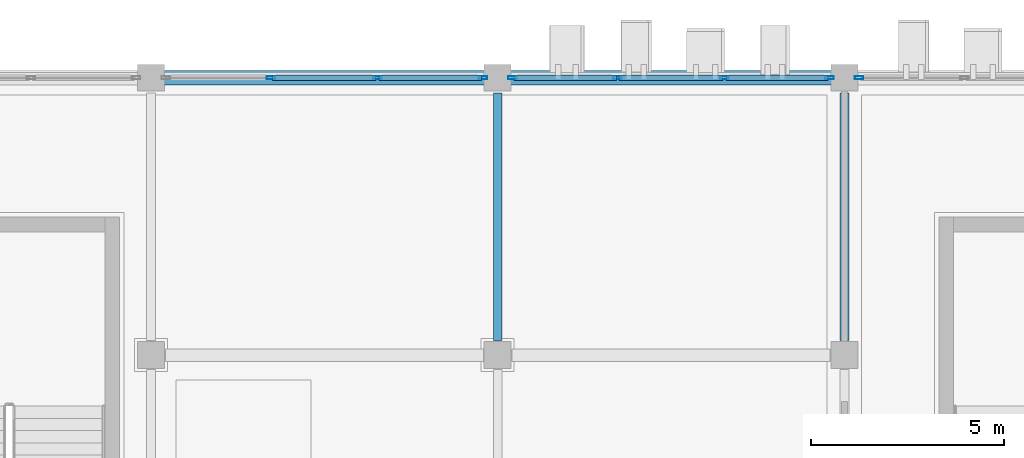
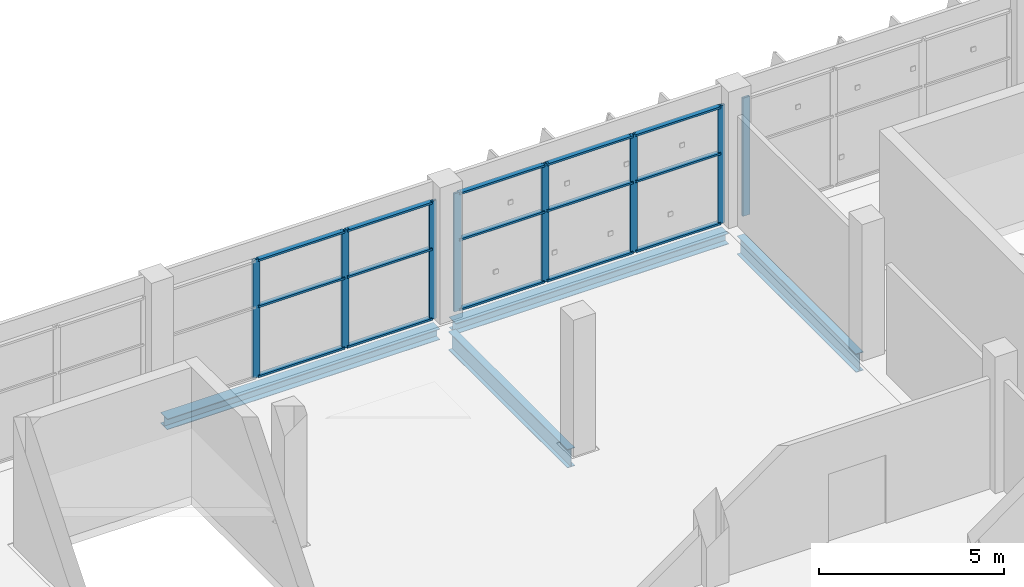
# One storey, part 72 of 151: 23 members, 4 beams, 3 elements without a shape of their own.
"""IFC4 building model written with IfcOpenShell, lengths in metres."""

from ifc_helpers import new_model, si_unit, direction, frame, origin, origin_2d, place, context, subcontext, project, spatial, hollow_rectangle, i_section, extrude, material, layer, layer_set, material_profile, profile_set, type_object, element, aggregate, save


model = new_model("IFC4")

# Units and contexts
model_context = context("Model", 3, precision=1e-05, world=origin(), true_north=direction((0.0, 1.0)))
body_context = subcontext(model_context, "Body", "Model", "MODEL_VIEW")
ifc_project = project(units=[si_unit("LENGTHUNIT", "METRE"), si_unit("AREAUNIT", "SQUARE_METRE"), si_unit("VOLUMEUNIT", "CUBIC_METRE"), si_unit("PLANEANGLEUNIT", "RADIAN"), si_unit("MASSUNIT", "GRAM", prefix="KILO")], contexts=[model_context])

# Site, building, storey
site_placement = place(None, origin())
site = spatial("IfcSite", under=ifc_project, at=site_placement, CompositionType="ELEMENT")
building_placement = place(site_placement, origin())
building = spatial("IfcBuilding", under=site, at=building_placement, Name="Celestram Park Convention Centre", CompositionType="ELEMENT")
storey_placement = place(building_placement, frame((0.0, 0.0, 10.800048828125)))
storey = spatial("IfcBuildingStorey", under=building, at=storey_placement, Name="L02", CompositionType="ELEMENT", Elevation=10.800048828125)

# Curtain wall, members
ifc_material_1 = material(Name="Anodised Aluminium Alloy 6063-T6", Category="aluminium")
ifc_layer = layer(ifc_material_1, 0.179931640625)
ifc_layer_set = layer_set([ifc_layer], Name="Anodised Aluminium Alloy 6063-T6")
curtain_wall_type = type_object("IfcCurtainWallType", Name="ARC-CW-830X389", PredefinedType="NOTDEFINED", material=ifc_layer_set)
curtain_wall_1_placement = place(storey_placement, origin())
curtain_wall_1 = element("IfcCurtainWall", 1, at=curtain_wall_1_placement, inside=storey, type_object=curtain_wall_type, Name="Unitised curtain wall CU-L02-151", PredefinedType="NOTDEFINED")
ifc_material_profile_1 = material_profile(ifc_material_1, hollow_rectangle(XDim=0.074951171875, YDim=0.219970703125, WallThickness=0.00390625, at=origin_2d()), Name="ALU75X220X4")
ifc_profile_set_1 = profile_set([ifc_material_profile_1], Name="Anodised Aluminium Alloy 6063-T6")
member_type_1 = type_object("IfcMemberType", Name="ARC-CWM-180", PredefinedType="MULLION", material=ifc_profile_set_1)
member_1_placement = place(storey_placement, frame((48.115966796875, 165.60009765625, 0.0), z_axis=(0.0, 0.0, 1.0), x_axis=(0.0, 1.0, 0.0)))
member_1 = element("IfcMember", 2, at=member_1_placement, type_object=member_type_1, Name="CW-83X38 mullion 2", PredefinedType="MULLION", context=body_context, shape_type="SweptSolid", body=[
    extrude(hollow_rectangle(XDim=0.074951171875, YDim=0.219970703125, WallThickness=0.00390625, at=origin_2d()), origin(), (0.0, 0.0, 1.0), 3.89404296875),
])
member_2_placement = place(storey_placement, frame((50.884033203125, 165.60009765625, 0.0), z_axis=(0.0, 0.0, 1.0), x_axis=(0.0, 1.0, 0.0)))
member_2 = element("IfcMember", 3, at=member_2_placement, type_object=member_type_1, Name="CW-83X38 mullion 3", PredefinedType="MULLION", context=body_context, shape_type="SweptSolid", body=[
    extrude(hollow_rectangle(XDim=0.074951171875, YDim=0.219970703125, WallThickness=0.00390625, at=origin_2d()), origin(), (0.0, 0.0, 1.0), 3.89404296875),
])
member_3_placement = place(storey_placement, frame((53.614501953125, 165.60009765625, 0.0), z_axis=(0.0, 0.0, 1.0), x_axis=(0.0, 1.0, 0.0)))
member_3 = element("IfcMember", 4, at=member_3_placement, type_object=member_type_1, Name="CW-83X38 mullion 4", PredefinedType="MULLION", context=body_context, shape_type="SweptSolid", body=[
    extrude(hollow_rectangle(XDim=0.074951171875, YDim=0.219970703125, WallThickness=0.00390625, at=origin_2d()), origin(), (0.0, 0.0, 1.0), 3.89404296875),
])

curtain_wall_2_placement = place(storey_placement, origin())
curtain_wall_2 = element("IfcCurtainWall", 5, at=curtain_wall_2_placement, inside=storey, type_object=curtain_wall_type, Name="Unitised curtain wall CU-L02-152", PredefinedType="NOTDEFINED")
member_4_placement = place(storey_placement, frame((54.385498046875, 165.60009765625, 0.0), z_axis=(0.0, 0.0, 1.0), x_axis=(0.0, 1.0, 0.0)))
member_4 = element("IfcMember", 6, at=member_4_placement, type_object=member_type_1, Name="CW-83X38 mullion 1", PredefinedType="MULLION", context=body_context, shape_type="SweptSolid", body=[
    extrude(hollow_rectangle(XDim=0.074951171875, YDim=0.219970703125, WallThickness=0.00390625, at=origin_2d()), origin(), (0.0, 0.0, 1.0), 3.89404296875),
])
member_5_placement = place(storey_placement, frame((57.115966796875, 165.60009765625, 0.0), z_axis=(0.0, 0.0, 1.0), x_axis=(0.0, 1.0, 0.0)))
member_5 = element("IfcMember", 7, at=member_5_placement, type_object=member_type_1, Name="CW-83X38 mullion 2", PredefinedType="MULLION", context=body_context, shape_type="SweptSolid", body=[
    extrude(hollow_rectangle(XDim=0.074951171875, YDim=0.219970703125, WallThickness=0.00390625, at=origin_2d()), origin(), (0.0, 0.0, 1.0), 3.89404296875),
])
member_6_placement = place(storey_placement, frame((59.884033203125, 165.60009765625, 0.0), z_axis=(0.0, 0.0, 1.0), x_axis=(0.0, 1.0, 0.0)))
member_6 = element("IfcMember", 8, at=member_6_placement, type_object=member_type_1, Name="CW-83X38 mullion 3", PredefinedType="MULLION", context=body_context, shape_type="SweptSolid", body=[
    extrude(hollow_rectangle(XDim=0.074951171875, YDim=0.219970703125, WallThickness=0.00390625, at=origin_2d()), origin(), (0.0, 0.0, 1.0), 3.89404296875),
])
member_7_placement = place(storey_placement, frame((62.614501953125, 165.60009765625, 0.0), z_axis=(0.0, 0.0, 1.0), x_axis=(0.0, 1.0, 0.0)))
member_7 = element("IfcMember", 9, at=member_7_placement, type_object=member_type_1, Name="CW-83X38 mullion 4", PredefinedType="MULLION", context=body_context, shape_type="SweptSolid", body=[
    extrude(hollow_rectangle(XDim=0.074951171875, YDim=0.219970703125, WallThickness=0.00390625, at=origin_2d()), origin(), (0.0, 0.0, 1.0), 3.89404296875),
])

# Curtain wall, member
curtain_wall_3_placement = place(storey_placement, origin())
curtain_wall_3 = element("IfcCurtainWall", 10, at=curtain_wall_3_placement, inside=storey, type_object=curtain_wall_type, Name="Unitised curtain wall CU-L02-153", PredefinedType="NOTDEFINED")
member_8_placement = place(storey_placement, frame((63.385498046875, 165.60009765625, 0.0), z_axis=(0.0, 0.0, 1.0), x_axis=(0.0, 1.0, 0.0)))
member_8 = element("IfcMember", 11, at=member_8_placement, type_object=member_type_1, Name="CW-83X38 mullion 1", PredefinedType="MULLION", context=body_context, shape_type="SweptSolid", body=[
    extrude(hollow_rectangle(XDim=0.074951171875, YDim=0.219970703125, WallThickness=0.00390625, at=origin_2d()), origin(), (0.0, 0.0, 1.0), 3.89404296875),
])
aggregate(curtain_wall_3, [member_8])

# Member
ifc_material_profile_2 = material_profile(ifc_material_1, hollow_rectangle(XDim=0.14990234375, YDim=0.06494140625, WallThickness=0.0029296875, at=origin_2d()), Name="ALU150X65X3")
ifc_profile_set_2 = profile_set([ifc_material_profile_2], Name="Anodised Aluminium Alloy 6063-T6")
member_type_2 = type_object("IfcMemberType", Name="ARC-CWT-150", PredefinedType="USERDEFINED", material=ifc_profile_set_2)
member_9_placement = place(storey_placement, frame((48.153564453125, 165.60009765625, 0.032470703125), z_axis=(1.0, 0.0, 0.0), x_axis=(0.0, 1.0, 0.0)))
member_9 = element("IfcMember", 12, at=member_9_placement, type_object=member_type_2, Name="CW-83X38 transom 2.1", ObjectType="TRANSOM", PredefinedType="USERDEFINED", context=body_context, shape_type="SweptSolid", body=[
    extrude(hollow_rectangle(XDim=0.14990234375, YDim=0.06494140625, WallThickness=0.0029296875, at=origin_2d()), origin(), (0.0, 0.0, 1.0), 2.69287109375),
])

member_10_placement = place(storey_placement, frame((48.153564453125, 165.60009765625, 2.3359375), z_axis=(1.0, 0.0, 0.0), x_axis=(0.0, 1.0, 0.0)))
member_10 = element("IfcMember", 13, at=member_10_placement, type_object=member_type_2, Name="CW-83X38 transom 2.2", ObjectType="TRANSOM", PredefinedType="USERDEFINED", context=body_context, shape_type="SweptSolid", body=[
    extrude(hollow_rectangle(XDim=0.14990234375, YDim=0.06494140625, WallThickness=0.0029296875, at=origin_2d()), origin(), (0.0, 0.0, 1.0), 2.69287109375),
])

member_11_placement = place(storey_placement, frame((48.153564453125, 165.60009765625, 3.861572265625), z_axis=(1.0, 0.0, 0.0), x_axis=(0.0, 1.0, 0.0)))
member_11 = element("IfcMember", 14, at=member_11_placement, type_object=member_type_2, Name="CW-83X38 transom 2.3", ObjectType="TRANSOM", PredefinedType="USERDEFINED", context=body_context, shape_type="SweptSolid", body=[
    extrude(hollow_rectangle(XDim=0.14990234375, YDim=0.06494140625, WallThickness=0.0029296875, at=origin_2d()), origin(), (0.0, 0.0, 1.0), 2.69287109375),
])

member_12_placement = place(storey_placement, frame((50.92138671875, 165.60009765625, 0.032470703125), z_axis=(1.0, 0.0, 0.0), x_axis=(0.0, 1.0, 0.0)))
member_12 = element("IfcMember", 15, at=member_12_placement, type_object=member_type_2, Name="CW-83X38 transom 3.1", ObjectType="TRANSOM", PredefinedType="USERDEFINED", context=body_context, shape_type="SweptSolid", body=[
    extrude(hollow_rectangle(XDim=0.14990234375, YDim=0.06494140625, WallThickness=0.0029296875, at=origin_2d()), origin(), (0.0, 0.0, 1.0), 2.655517578125),
])

member_13_placement = place(storey_placement, frame((50.92138671875, 165.60009765625, 2.3359375), z_axis=(1.0, 0.0, 0.0), x_axis=(0.0, 1.0, 0.0)))
member_13 = element("IfcMember", 16, at=member_13_placement, type_object=member_type_2, Name="CW-83X38 transom 3.2", ObjectType="TRANSOM", PredefinedType="USERDEFINED", context=body_context, shape_type="SweptSolid", body=[
    extrude(hollow_rectangle(XDim=0.14990234375, YDim=0.06494140625, WallThickness=0.0029296875, at=origin_2d()), origin(), (0.0, 0.0, 1.0), 2.655517578125),
])

member_14_placement = place(storey_placement, frame((50.92138671875, 165.60009765625, 3.861572265625), z_axis=(1.0, 0.0, 0.0), x_axis=(0.0, 1.0, 0.0)))
member_14 = element("IfcMember", 17, at=member_14_placement, type_object=member_type_2, Name="CW-83X38 transom 3.3", ObjectType="TRANSOM", PredefinedType="USERDEFINED", context=body_context, shape_type="SweptSolid", body=[
    extrude(hollow_rectangle(XDim=0.14990234375, YDim=0.06494140625, WallThickness=0.0029296875, at=origin_2d()), origin(), (0.0, 0.0, 1.0), 2.655517578125),
])

aggregate(curtain_wall_1, [member_1, member_2, member_3, member_9, member_10, member_11, member_12, member_13, member_14])

member_15_placement = place(storey_placement, frame((54.423095703125, 165.60009765625, 0.032470703125), z_axis=(1.0, 0.0, 0.0), x_axis=(0.0, 1.0, 0.0)))
member_15 = element("IfcMember", 18, at=member_15_placement, type_object=member_type_2, Name="CW-83X38 transom 1.1", ObjectType="TRANSOM", PredefinedType="USERDEFINED", context=body_context, shape_type="SweptSolid", body=[
    extrude(hollow_rectangle(XDim=0.14990234375, YDim=0.06494140625, WallThickness=0.0029296875, at=origin_2d()), origin(), (0.0, 0.0, 1.0), 2.655517578125),
])

member_16_placement = place(storey_placement, frame((54.423095703125, 165.60009765625, 2.3359375), z_axis=(1.0, 0.0, 0.0), x_axis=(0.0, 1.0, 0.0)))
member_16 = element("IfcMember", 19, at=member_16_placement, type_object=member_type_2, Name="CW-83X38 transom 1.2", ObjectType="TRANSOM", PredefinedType="USERDEFINED", context=body_context, shape_type="SweptSolid", body=[
    extrude(hollow_rectangle(XDim=0.14990234375, YDim=0.06494140625, WallThickness=0.0029296875, at=origin_2d()), origin(), (0.0, 0.0, 1.0), 2.655517578125),
])

member_17_placement = place(storey_placement, frame((54.423095703125, 165.60009765625, 3.861572265625), z_axis=(1.0, 0.0, 0.0), x_axis=(0.0, 1.0, 0.0)))
member_17 = element("IfcMember", 20, at=member_17_placement, type_object=member_type_2, Name="CW-83X38 transom 1.3", ObjectType="TRANSOM", PredefinedType="USERDEFINED", context=body_context, shape_type="SweptSolid", body=[
    extrude(hollow_rectangle(XDim=0.14990234375, YDim=0.06494140625, WallThickness=0.0029296875, at=origin_2d()), origin(), (0.0, 0.0, 1.0), 2.655517578125),
])

member_18_placement = place(storey_placement, frame((57.153564453125, 165.60009765625, 0.032470703125), z_axis=(1.0, 0.0, 0.0), x_axis=(0.0, 1.0, 0.0)))
member_18 = element("IfcMember", 21, at=member_18_placement, type_object=member_type_2, Name="CW-83X38 transom 2.1", ObjectType="TRANSOM", PredefinedType="USERDEFINED", context=body_context, shape_type="SweptSolid", body=[
    extrude(hollow_rectangle(XDim=0.14990234375, YDim=0.06494140625, WallThickness=0.0029296875, at=origin_2d()), origin(), (0.0, 0.0, 1.0), 2.69287109375),
])

member_19_placement = place(storey_placement, frame((57.153564453125, 165.60009765625, 2.3359375), z_axis=(1.0, 0.0, 0.0), x_axis=(0.0, 1.0, 0.0)))
member_19 = element("IfcMember", 22, at=member_19_placement, type_object=member_type_2, Name="CW-83X38 transom 2.2", ObjectType="TRANSOM", PredefinedType="USERDEFINED", context=body_context, shape_type="SweptSolid", body=[
    extrude(hollow_rectangle(XDim=0.14990234375, YDim=0.06494140625, WallThickness=0.0029296875, at=origin_2d()), origin(), (0.0, 0.0, 1.0), 2.69287109375),
])

member_20_placement = place(storey_placement, frame((57.153564453125, 165.60009765625, 3.861572265625), z_axis=(1.0, 0.0, 0.0), x_axis=(0.0, 1.0, 0.0)))
member_20 = element("IfcMember", 23, at=member_20_placement, type_object=member_type_2, Name="CW-83X38 transom 2.3", ObjectType="TRANSOM", PredefinedType="USERDEFINED", context=body_context, shape_type="SweptSolid", body=[
    extrude(hollow_rectangle(XDim=0.14990234375, YDim=0.06494140625, WallThickness=0.0029296875, at=origin_2d()), origin(), (0.0, 0.0, 1.0), 2.69287109375),
])

member_21_placement = place(storey_placement, frame((59.92138671875, 165.60009765625, 0.032470703125), z_axis=(1.0, 0.0, 0.0), x_axis=(0.0, 1.0, 0.0)))
member_21 = element("IfcMember", 24, at=member_21_placement, type_object=member_type_2, Name="CW-83X38 transom 3.1", ObjectType="TRANSOM", PredefinedType="USERDEFINED", context=body_context, shape_type="SweptSolid", body=[
    extrude(hollow_rectangle(XDim=0.14990234375, YDim=0.06494140625, WallThickness=0.0029296875, at=origin_2d()), origin(), (0.0, 0.0, 1.0), 2.655517578125),
])

member_22_placement = place(storey_placement, frame((59.92138671875, 165.60009765625, 2.3359375), z_axis=(1.0, 0.0, 0.0), x_axis=(0.0, 1.0, 0.0)))
member_22 = element("IfcMember", 25, at=member_22_placement, type_object=member_type_2, Name="CW-83X38 transom 3.2", ObjectType="TRANSOM", PredefinedType="USERDEFINED", context=body_context, shape_type="SweptSolid", body=[
    extrude(hollow_rectangle(XDim=0.14990234375, YDim=0.06494140625, WallThickness=0.0029296875, at=origin_2d()), origin(), (0.0, 0.0, 1.0), 2.655517578125),
])

member_23_placement = place(storey_placement, frame((59.92138671875, 165.60009765625, 3.861572265625), z_axis=(1.0, 0.0, 0.0), x_axis=(0.0, 1.0, 0.0)))
member_23 = element("IfcMember", 26, at=member_23_placement, type_object=member_type_2, Name="CW-83X38 transom 3.3", ObjectType="TRANSOM", PredefinedType="USERDEFINED", context=body_context, shape_type="SweptSolid", body=[
    extrude(hollow_rectangle(XDim=0.14990234375, YDim=0.06494140625, WallThickness=0.0029296875, at=origin_2d()), origin(), (0.0, 0.0, 1.0), 2.655517578125),
])

aggregate(curtain_wall_2, [member_4, member_5, member_6, member_7, member_15, member_16, member_17, member_18, member_19, member_20, member_21, member_22, member_23])

# Beams
ifc_material_2 = material(Name="Steel ASTM A992 Grade 50", Category="steel")
ifc_material_profile_3 = material_profile(ifc_material_2, i_section(OverallWidth=0.22900390625, OverallDepth=0.612060546875, WebThickness=0.011962890625, FlangeThickness=0.01953125, at=origin_2d()), Name="W24X84")
ifc_profile_set_3 = profile_set([ifc_material_profile_3], Name="Steel ASTM A992 Grade 50")
beam_type_1 = type_object("IfcBeamType", Name="STR-BM-W24X84", PredefinedType="BEAM", material=ifc_profile_set_3)
for number, where, z_axis, x_axis, name in (
    (27, (54.0, 158.77294921875, -0.5859375), (0.0, 1.0, 0.0), (-1.0, 0.0, 0.0), "Primary Y-girder BG-L02-0052"),
    (28, (63.0, 158.77294921875, -0.5859375), (0.0, 1.0, 0.0), (-1.0, 0.0, 0.0), "Primary Y-girder BG-L02-0064"),
):
    element("IfcBeam", number, at=place(storey_placement, frame(where, z_axis=z_axis, x_axis=x_axis)), inside=storey, type_object=beam_type_1, Name=name, PredefinedType="BEAM", context=body_context, shape_type="SweptSolid", body=[
        extrude(i_section(OverallWidth=0.22900390625, OverallDepth=0.612060546875, WebThickness=0.011962890625, FlangeThickness=0.01953125, at=origin_2d()), origin(), (0.0, 0.0, 1.0), 6.428955078125),
    ])
ifc_material_profile_4 = material_profile(ifc_material_2, i_section(OverallWidth=0.367919921875, OverallDepth=0.35595703125, WebThickness=0.01123046875, FlangeThickness=0.01806640625, at=origin_2d()), Name="W14X90")
ifc_profile_set_4 = profile_set([ifc_material_profile_4], Name="Steel ASTM A992 Grade 50")
beam_type_2 = type_object("IfcBeamType", Name="STR-SPN-W14X90", PredefinedType="SPANDREL", material=ifc_profile_set_4)
for number, where, z_axis, x_axis, name in (
    (29, (45.248046875, 165.60009765625, -0.4580078125), (1.0, 0.0, 0.0), (0.0, 1.0, 0.0), "Primary X-girder BG-L02-0039"),
    (30, (54.248046875, 165.60009765625, -0.4580078125), (1.0, 0.0, 0.0), (0.0, 1.0, 0.0), "Primary X-girder BG-L02-0053"),
):
    element("IfcBeam", number, at=place(storey_placement, frame(where, z_axis=z_axis, x_axis=x_axis)), inside=storey, type_object=beam_type_2, Name=name, PredefinedType="SPANDREL", context=body_context, shape_type="SweptSolid", body=[
        extrude(i_section(OverallWidth=0.367919921875, OverallDepth=0.35595703125, WebThickness=0.01123046875, FlangeThickness=0.01806640625, at=origin_2d()), origin(), (0.0, 0.0, 1.0), 8.50390625),
    ])

save(model, "model.ifc")
